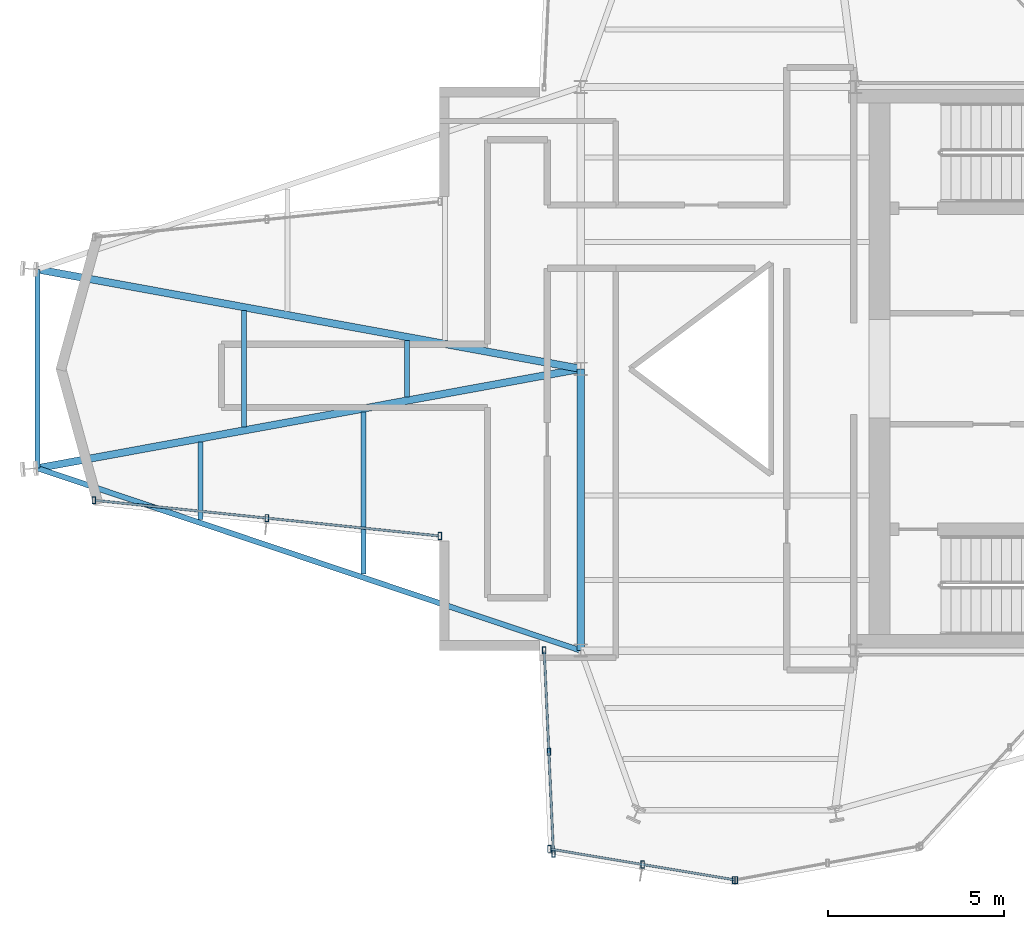
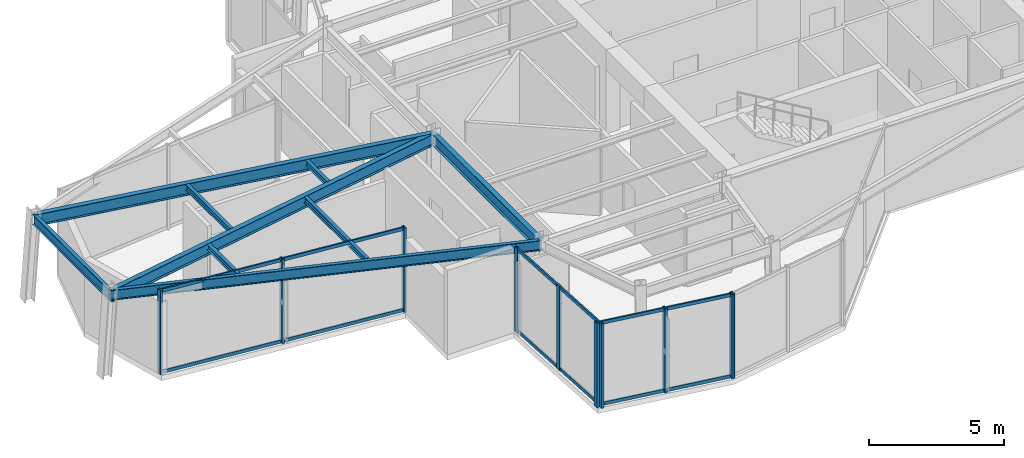
# One storey, part 2 of 13: 16 members, 9 beams, 4 elements without a shape of their own.
"""IFC4 building model written with IfcOpenShell, lengths in metres."""

from ifc_helpers import new_model, si_unit, direction, frame, origin, origin_2d, place, context, subcontext, project, spatial, hollow_rectangle, i_section, extrude, material, layer, layer_set, material_profile, profile_set, type_object, element, aggregate, save


model = new_model("IFC4")

# Units and contexts
model_context = context("Model", 3, precision=1e-05, world=origin(), true_north=direction((0.0, 1.0)))
body_context = subcontext(model_context, "Body", "Model", "MODEL_VIEW")
ifc_project = project(units=[si_unit("LENGTHUNIT", "METRE"), si_unit("AREAUNIT", "SQUARE_METRE"), si_unit("VOLUMEUNIT", "CUBIC_METRE"), si_unit("PLANEANGLEUNIT", "RADIAN"), si_unit("MASSUNIT", "GRAM", prefix="KILO")], contexts=[model_context])

# Site, building, storey
site_placement = place(None, origin())
site = spatial("IfcSite", under=ifc_project, at=site_placement, CompositionType="ELEMENT")
building_placement = place(site_placement, origin())
building = spatial("IfcBuilding", under=site, at=building_placement, Name="Veymaron Broadcast Tower", CompositionType="ELEMENT")
storey_placement = place(building_placement, frame((0.0, 0.0, 287.10009765625)))
storey = spatial("IfcBuildingStorey", under=building, at=storey_placement, Name="L67", CompositionType="ELEMENT", Elevation=287.10009765625)

# Beams
ifc_material_1 = material(Name="Structural steel ASTM A992 Gr 50", Category="steel")
ifc_material_profile_1 = material_profile(ifc_material_1, i_section(OverallWidth=0.208984375, OverallDepth=0.528076171875, WebThickness=0.009521484375, FlangeThickness=0.01318359375, at=origin_2d()), Name="W530X82")
ifc_profile_set_1 = profile_set([ifc_material_profile_1], Name="Structural steel ASTM A992 Gr 50")
beam_type_1 = type_object("IfcBeamType", Name="BM-FG4", PredefinedType="BEAM", material=ifc_profile_set_1)
beam_1_placement = place(storey_placement, frame((31.199951171875, 16.0, 3.5458984375), z_axis=(0.0, 1.0, 0.0), x_axis=(-1.0, 0.0, 0.0)))
element("IfcBeam", 1, at=beam_1_placement, inside=storey, type_object=beam_type_1, Name="L67 primary structural floor girder", PredefinedType="BEAM", context=body_context, shape_type="SweptSolid", body=[
    extrude(i_section(OverallWidth=0.208984375, OverallDepth=0.528076171875, WebThickness=0.009521484375, FlangeThickness=0.01318359375, at=origin_2d()), origin(), (0.0, 0.0, 1.0), 8.0),
])
for number, where, z_axis, x_axis, name in (
    (2, (15.7763671875, 21.177978515625, 3.5458984375), (0.983670246921, 0.179980124799, 0.0), (-0.179980124799, 0.983670246921, 0.0), "L67 primary structural floor girder"),
    (3, (15.7763671875, 26.822021484375, 3.5458984375), (0.983670246921, -0.179980124799, 0.0), (0.179980124799, 0.983670246921, 0.0), "L67 primary structural floor girder"),
):
    element("IfcBeam", number, at=place(storey_placement, frame(where, z_axis=z_axis, x_axis=x_axis)), inside=storey, type_object=beam_type_1, Name=name, PredefinedType="BEAM", context=body_context, shape_type="SweptSolid", body=[
        extrude(i_section(OverallWidth=0.208984375, OverallDepth=0.528076171875, WebThickness=0.009521484375, FlangeThickness=0.01318359375, at=origin_2d()), origin(), (0.0, 0.0, 1.0), 15.6796875),
    ])
ifc_material_profile_2 = material_profile(ifc_material_1, i_section(OverallWidth=0.14599609375, OverallDepth=0.258056640625, WebThickness=0.006103515625, FlangeThickness=0.009033203125, at=origin_2d()), Name="W250X33")
ifc_profile_set_2 = profile_set([ifc_material_profile_2], Name="Structural steel ASTM A992 Gr 50")
beam_type_2 = type_object("IfcBeamType", Name="BM-JS4", PredefinedType="JOIST", material=ifc_profile_set_2)
beam_2_placement = place(storey_placement, frame((20.403564453125, 19.724609375, 3.680908203125), z_axis=(0.0, 1.0, 0.0), x_axis=(-1.0, 0.0, 0.0)))
element("IfcBeam", 4, at=beam_2_placement, inside=storey, type_object=beam_type_2, Name="L67 Arm-A secondary joist 1S", PredefinedType="JOIST", context=body_context, shape_type="SweptSolid", body=[
    extrude(i_section(OverallWidth=0.14599609375, OverallDepth=0.258056640625, WebThickness=0.006103515625, FlangeThickness=0.009033203125, at=origin_2d()), origin(), (0.0, 0.0, 1.0), 2.199951171875),
])
beam_3_placement = place(storey_placement, frame((21.637451171875, 22.350341796875, 3.680908203125), z_axis=(0.0, 1.0, 0.0), x_axis=(-1.0, 0.0, 0.0)))
element("IfcBeam", 5, at=beam_3_placement, inside=storey, type_object=beam_type_2, Name="L67 Arm-A secondary joist 1M", PredefinedType="JOIST", context=body_context, shape_type="SweptSolid", body=[
    extrude(i_section(OverallWidth=0.14599609375, OverallDepth=0.258056640625, WebThickness=0.006103515625, FlangeThickness=0.009033203125, at=origin_2d()), origin(), (0.0, 0.0, 1.0), 3.29931640625),
])
beam_4_placement = place(storey_placement, frame((25.030517578125, 18.171142578125, 3.680908203125), z_axis=(0.0, 1.0, 0.0), x_axis=(-1.0, 0.0, 0.0)))
element("IfcBeam", 6, at=beam_4_placement, inside=storey, type_object=beam_type_2, Name="L67 Arm-A secondary joist 2S", PredefinedType="JOIST", context=body_context, shape_type="SweptSolid", body=[
    extrude(i_section(OverallWidth=0.14599609375, OverallDepth=0.258056640625, WebThickness=0.006103515625, FlangeThickness=0.009033203125, at=origin_2d()), origin(), (0.0, 0.0, 1.0), 4.60009765625),
])
beam_5_placement = place(storey_placement, frame((26.264404296875, 23.197021484375, 3.680908203125), z_axis=(0.0, 1.0, 0.0), x_axis=(-1.0, 0.0, 0.0)))
element("IfcBeam", 7, at=beam_5_placement, inside=storey, type_object=beam_type_2, Name="L67 Arm-A secondary joist 2M", PredefinedType="JOIST", context=body_context, shape_type="SweptSolid", body=[
    extrude(i_section(OverallWidth=0.14599609375, OverallDepth=0.258056640625, WebThickness=0.006103515625, FlangeThickness=0.009033203125, at=origin_2d()), origin(), (0.0, 0.0, 1.0), 1.60595703125),
])
ifc_material_profile_3 = material_profile(ifc_material_1, i_section(OverallWidth=0.154052734375, OverallDepth=0.458984375, WebThickness=0.009033203125, FlangeThickness=0.015380859375, at=origin_2d()), Name="W460X68")
ifc_profile_set_3 = profile_set([ifc_material_profile_3], Name="Structural steel ASTM A992 Gr 50")
beam_type_3 = type_object("IfcBeamType", Name="BM-SP2", PredefinedType="SPANDREL", material=ifc_profile_set_3)
beam_6_placement = place(storey_placement, frame((15.7763671875, 21.177978515625, 3.580322265625), z_axis=(0.948002845498, -0.318261849627, 0.0), x_axis=(0.318261849627, 0.948002845498, 0.0)))
element("IfcBeam", 8, at=beam_6_placement, inside=storey, type_object=beam_type_3, Name="L67 primary structural floor girder", PredefinedType="SPANDREL", context=body_context, shape_type="SweptSolid", body=[
    extrude(i_section(OverallWidth=0.154052734375, OverallDepth=0.458984375, WebThickness=0.009033203125, FlangeThickness=0.015380859375, at=origin_2d()), origin(), (0.0, 0.0, 1.0), 16.26953125),
])
beam_7_placement = place(storey_placement, frame((15.7763671875, 21.177978515625, 3.580322265625), z_axis=(0.0, 1.0, 0.0), x_axis=(-1.0, 0.0, 0.0)))
element("IfcBeam", 9, at=beam_7_placement, inside=storey, type_object=beam_type_3, Name="L67 primary structural floor girder", PredefinedType="SPANDREL", context=body_context, shape_type="SweptSolid", body=[
    extrude(i_section(OverallWidth=0.154052734375, OverallDepth=0.458984375, WebThickness=0.009033203125, FlangeThickness=0.015380859375, at=origin_2d()), origin(), (0.0, 0.0, 1.0), 5.64404296875),
])

# Curtain wall, members
ifc_material_2 = material(Name="Anodised aluminium AA 6063-T6 and laminated low-E dark glass", Category="aluminium")
ifc_layer = layer(ifc_material_2, 0.179931640625)
ifc_layer_set = layer_set([ifc_layer], Name="Anodised aluminium AA 6063-T6 and laminated low-E dark glass")
curtain_wall_type = type_object("IfcCurtainWallType", Name="CW-SYS-06", PredefinedType="NOTDEFINED", material=ifc_layer_set)
curtain_wall_1_placement = place(storey_placement, origin())
curtain_wall_1 = element("IfcCurtainWall", 10, at=curtain_wall_1_placement, inside=storey, type_object=curtain_wall_type, Name="L67 dark-glass curtain wall CW-L67-E14-1", PredefinedType="NOTDEFINED")
ifc_material_3 = material(Name="Anodised aluminium AA 6063-T6", Category="aluminium")
ifc_material_profile_4 = material_profile(ifc_material_3, hollow_rectangle(XDim=0.10009765625, YDim=0.199951171875, WallThickness=0.010009765625, at=origin_2d()), Name="RHS200X100X10")
ifc_profile_set_4 = profile_set([ifc_material_profile_4], Name="Anodised aluminium AA 6063-T6")
member_type_1 = type_object("IfcMemberType", Name="CW-MUL-01", PredefinedType="MULLION", material=ifc_profile_set_4)
member_1_placement = place(storey_placement, frame((17.37451171875, 20.268798828125, 0.0), z_axis=(0.0, 0.0, 1.0), x_axis=(1.0, 0.0, 0.0)))
member_1 = element("IfcMember", 11, at=member_1_placement, type_object=member_type_1, Name="CW-L67-E14-1 mullion 0", PredefinedType="MULLION", context=body_context, shape_type="SweptSolid", body=[
    extrude(hollow_rectangle(XDim=0.10009765625, YDim=0.199951171875, WallThickness=0.010009765625, at=origin_2d()), origin(), (0.0, 0.0, 1.0), 3.809814453125),
])
member_2_placement = place(storey_placement, frame((22.287109375, 19.760986328125, 0.0), z_axis=(0.0, 0.0, 1.0), x_axis=(1.0, 0.0, 0.0)))
member_2 = element("IfcMember", 12, at=member_2_placement, type_object=member_type_1, Name="CW-L67-E14-1 mullion 1", PredefinedType="MULLION", context=body_context, shape_type="SweptSolid", body=[
    extrude(hollow_rectangle(XDim=0.10009765625, YDim=0.199951171875, WallThickness=0.010009765625, at=origin_2d()), origin(), (0.0, 0.0, 1.0), 3.809814453125),
])
member_3_placement = place(storey_placement, frame((27.199951171875, 19.25341796875, 0.0), z_axis=(0.0, 0.0, 1.0), x_axis=(1.0, 0.0, 0.0)))
member_3 = element("IfcMember", 13, at=member_3_placement, type_object=member_type_1, Name="CW-L67-E14-1 mullion 2", PredefinedType="MULLION", context=body_context, shape_type="SweptSolid", body=[
    extrude(hollow_rectangle(XDim=0.10009765625, YDim=0.199951171875, WallThickness=0.010009765625, at=origin_2d()), origin(), (0.0, 0.0, 1.0), 3.809814453125),
])

curtain_wall_2_placement = place(storey_placement, origin())
curtain_wall_2 = element("IfcCurtainWall", 14, at=curtain_wall_2_placement, inside=storey, type_object=curtain_wall_type, Name="L67 dark-glass curtain wall CW-L67-E17-1", PredefinedType="NOTDEFINED")
member_4_placement = place(storey_placement, frame((30.161865234375, 16.00634765625, 0.0), z_axis=(0.0, 0.0, 1.0), x_axis=(1.0, 0.0, 0.0)))
member_4 = element("IfcMember", 15, at=member_4_placement, type_object=member_type_1, Name="CW-L67-E17-1 mullion 0", PredefinedType="MULLION", context=body_context, shape_type="SweptSolid", body=[
    extrude(hollow_rectangle(XDim=0.10009765625, YDim=0.199951171875, WallThickness=0.010009765625, at=origin_2d()), origin(), (0.0, 0.0, 1.0), 3.809814453125),
])
member_5_placement = place(storey_placement, frame((30.293212890625, 13.121826171875, 0.0), z_axis=(0.0, 0.0, 1.0), x_axis=(1.0, 0.0, 0.0)))
member_5 = element("IfcMember", 16, at=member_5_placement, type_object=member_type_1, Name="CW-L67-E17-1 mullion 1", PredefinedType="MULLION", context=body_context, shape_type="SweptSolid", body=[
    extrude(hollow_rectangle(XDim=0.10009765625, YDim=0.199951171875, WallThickness=0.010009765625, at=origin_2d()), origin(), (0.0, 0.0, 1.0), 3.809814453125),
])
member_6_placement = place(storey_placement, frame((30.4248046875, 10.2373046875, 0.0), z_axis=(0.0, 0.0, 1.0), x_axis=(1.0, 0.0, 0.0)))
member_6 = element("IfcMember", 17, at=member_6_placement, type_object=member_type_1, Name="CW-L67-E17-1 mullion 2", PredefinedType="MULLION", context=body_context, shape_type="SweptSolid", body=[
    extrude(hollow_rectangle(XDim=0.10009765625, YDim=0.199951171875, WallThickness=0.010009765625, at=origin_2d()), origin(), (0.0, 0.0, 1.0), 3.809814453125),
])

curtain_wall_3_placement = place(storey_placement, origin())
curtain_wall_3 = element("IfcCurtainWall", 18, at=curtain_wall_3_placement, inside=storey, type_object=curtain_wall_type, Name="L67 dark-glass curtain wall CW-L67-E18-1", PredefinedType="NOTDEFINED")
member_7_placement = place(storey_placement, frame((30.307861328125, 10.368896484375, 0.0), z_axis=(0.0, 0.0, 1.0), x_axis=(1.0, 0.0, 0.0)))
member_7 = element("IfcMember", 19, at=member_7_placement, type_object=member_type_1, Name="CW-L67-E18-1 mullion 0", PredefinedType="MULLION", context=body_context, shape_type="SweptSolid", body=[
    extrude(hollow_rectangle(XDim=0.10009765625, YDim=0.199951171875, WallThickness=0.010009765625, at=origin_2d()), origin(), (0.0, 0.0, 1.0), 3.809814453125),
])
member_8_placement = place(storey_placement, frame((32.9560546875, 9.927001953125, 0.0), z_axis=(0.0, 0.0, 1.0), x_axis=(1.0, 0.0, 0.0)))
member_8 = element("IfcMember", 20, at=member_8_placement, type_object=member_type_1, Name="CW-L67-E18-1 mullion 1", PredefinedType="MULLION", context=body_context, shape_type="SweptSolid", body=[
    extrude(hollow_rectangle(XDim=0.10009765625, YDim=0.199951171875, WallThickness=0.010009765625, at=origin_2d()), origin(), (0.0, 0.0, 1.0), 3.809814453125),
])
member_9_placement = place(storey_placement, frame((35.604248046875, 9.48486328125, 0.0), z_axis=(0.0, 0.0, 1.0), x_axis=(1.0, 0.0, 0.0)))
member_9 = element("IfcMember", 21, at=member_9_placement, type_object=member_type_1, Name="CW-L67-E18-1 mullion 2", PredefinedType="MULLION", context=body_context, shape_type="SweptSolid", body=[
    extrude(hollow_rectangle(XDim=0.10009765625, YDim=0.199951171875, WallThickness=0.010009765625, at=origin_2d()), origin(), (0.0, 0.0, 1.0), 3.809814453125),
])

# Curtain wall, member
curtain_wall_4_placement = place(storey_placement, origin())
curtain_wall_4 = element("IfcCurtainWall", 22, at=curtain_wall_4_placement, inside=storey, type_object=curtain_wall_type, Name="L67 dark-glass curtain wall CW-L67-E19-1", PredefinedType="NOTDEFINED")
member_10_placement = place(storey_placement, frame((35.555908203125, 9.484619140625, 0.0), z_axis=(0.0, 0.0, 1.0), x_axis=(1.0, 0.0, 0.0)))
member_10 = element("IfcMember", 23, at=member_10_placement, type_object=member_type_1, Name="CW-L67-E19-1 mullion 0", PredefinedType="MULLION", context=body_context, shape_type="SweptSolid", body=[
    extrude(hollow_rectangle(XDim=0.10009765625, YDim=0.199951171875, WallThickness=0.010009765625, at=origin_2d()), origin(), (0.0, 0.0, 1.0), 3.809814453125),
])
aggregate(curtain_wall_4, [member_10])

# Member
ifc_material_profile_5 = material_profile(ifc_material_3, hollow_rectangle(XDim=0.06494140625, YDim=0.14990234375, WallThickness=0.00390625, at=origin_2d()), Name="AL150X65X4")
ifc_profile_set_5 = profile_set([ifc_material_profile_5], Name="Anodised aluminium AA 6063-T6")
member_type_2 = type_object("IfcMemberType", Name="CW-TRN-01", PredefinedType="USERDEFINED", material=ifc_profile_set_5)
member_11_placement = place(storey_placement, frame((17.424072265625, 20.263671875, 0.06982421875), z_axis=(0.994700162158, -0.10281822505, 0.0), x_axis=(0.10281822505, 0.994700162158, 0.0)))
member_11 = element("IfcMember", 24, at=member_11_placement, type_object=member_type_2, Name="CW-L67-E14-1 transom B", ObjectType="TRANSOM", PredefinedType="USERDEFINED", context=body_context, shape_type="SweptSolid", body=[
    extrude(hollow_rectangle(XDim=0.06494140625, YDim=0.14990234375, WallThickness=0.00390625, at=origin_2d()), origin(), (0.0, 0.0, 1.0), 9.778076171875),
])

member_12_placement = place(storey_placement, frame((17.424072265625, 20.263671875, 3.739990234375), z_axis=(0.994700162158, -0.10281822505, 0.0), x_axis=(0.10281822505, 0.994700162158, 0.0)))
member_12 = element("IfcMember", 25, at=member_12_placement, type_object=member_type_2, Name="CW-L67-E14-1 transom T", ObjectType="TRANSOM", PredefinedType="USERDEFINED", context=body_context, shape_type="SweptSolid", body=[
    extrude(hollow_rectangle(XDim=0.06494140625, YDim=0.14990234375, WallThickness=0.00390625, at=origin_2d()), origin(), (0.0, 0.0, 1.0), 9.778076171875),
])

aggregate(curtain_wall_1, [member_1, member_2, member_3, member_11, member_12])

member_13_placement = place(storey_placement, frame((30.164306640625, 15.95654296875, 0.06982421875), z_axis=(0.045470103559, -0.998965699953, 0.0), x_axis=(0.998965699953, 0.045470103559, 0.0)))
member_13 = element("IfcMember", 26, at=member_13_placement, type_object=member_type_2, Name="CW-L67-E17-1 transom B", ObjectType="TRANSOM", PredefinedType="USERDEFINED", context=body_context, shape_type="SweptSolid", body=[
    extrude(hollow_rectangle(XDim=0.06494140625, YDim=0.14990234375, WallThickness=0.00390625, at=origin_2d()), origin(), (0.0, 0.0, 1.0), 5.67529296875),
])

member_14_placement = place(storey_placement, frame((30.164306640625, 15.95654296875, 3.739990234375), z_axis=(0.045470103559, -0.998965699953, 0.0), x_axis=(0.998965699953, 0.045470103559, 0.0)))
member_14 = element("IfcMember", 27, at=member_14_placement, type_object=member_type_2, Name="CW-L67-E17-1 transom T", ObjectType="TRANSOM", PredefinedType="USERDEFINED", context=body_context, shape_type="SweptSolid", body=[
    extrude(hollow_rectangle(XDim=0.06494140625, YDim=0.14990234375, WallThickness=0.00390625, at=origin_2d()), origin(), (0.0, 0.0, 1.0), 5.67529296875),
])

aggregate(curtain_wall_2, [member_4, member_5, member_6, member_13, member_14])

member_15_placement = place(storey_placement, frame((30.357177734375, 10.360595703125, 0.06982421875), z_axis=(0.986358841104, -0.164609345347, 0.0), x_axis=(0.164609345347, 0.986358841104, 0.0)))
member_15 = element("IfcMember", 28, at=member_15_placement, type_object=member_type_2, Name="CW-L67-E18-1 transom B", ObjectType="TRANSOM", PredefinedType="USERDEFINED", context=body_context, shape_type="SweptSolid", body=[
    extrude(hollow_rectangle(XDim=0.06494140625, YDim=0.14990234375, WallThickness=0.00390625, at=origin_2d()), origin(), (0.0, 0.0, 1.0), 5.26953125),
])

member_16_placement = place(storey_placement, frame((30.357177734375, 10.360595703125, 3.739990234375), z_axis=(0.986358841104, -0.164609345347, 0.0), x_axis=(0.164609345347, 0.986358841104, 0.0)))
member_16 = element("IfcMember", 29, at=member_16_placement, type_object=member_type_2, Name="CW-L67-E18-1 transom T", ObjectType="TRANSOM", PredefinedType="USERDEFINED", context=body_context, shape_type="SweptSolid", body=[
    extrude(hollow_rectangle(XDim=0.06494140625, YDim=0.14990234375, WallThickness=0.00390625, at=origin_2d()), origin(), (0.0, 0.0, 1.0), 5.26953125),
])

aggregate(curtain_wall_3, [member_7, member_8, member_9, member_15, member_16])

save(model, "model.ifc")
